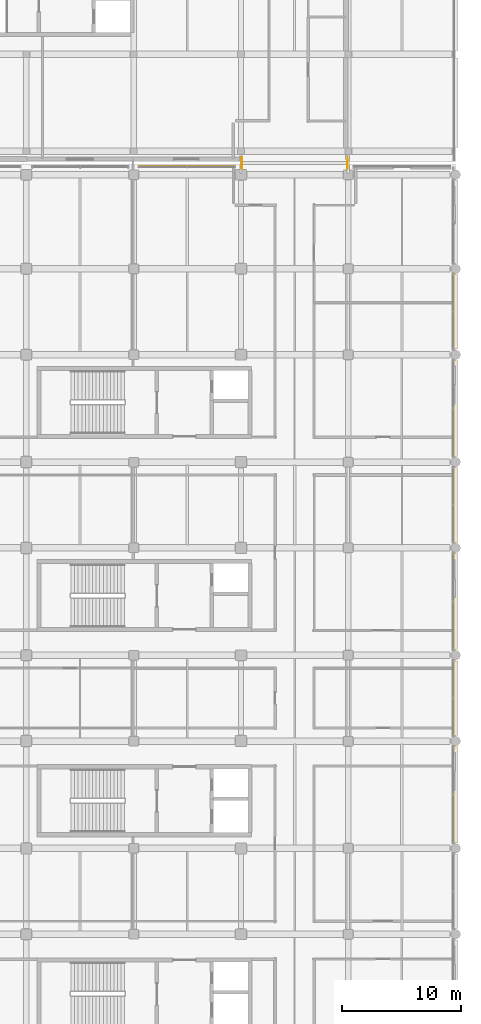
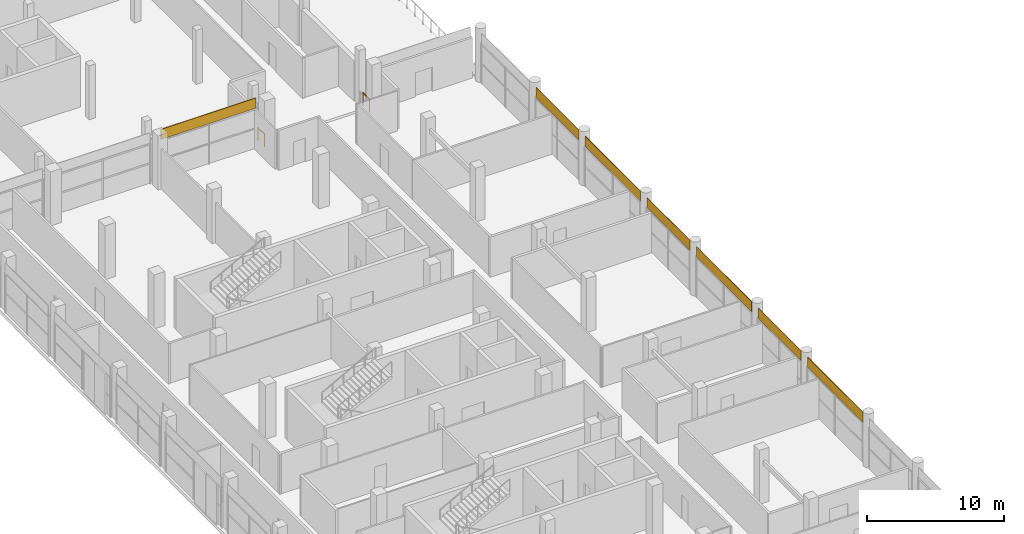
# One storey, part 106 of 111: 7 coverings, 2 railings.
"""IFC4 building model written with IfcOpenShell, lengths in metres."""

import ifcopenshell
import ifcopenshell.guid

model = None  # the IFC model being written
_history = None  # IfcOwnerHistory: only IFC2X3 demands one
_inside = {}  # id of a spatial element -> (the spatial element, [elements in it])
_under = {}  # id of a project, library or spatial element -> (it, [spatial elements below it])
_declared = {}  # id of a project -> (the project, [libraries it declares])
_typed = {}  # id of a type object -> (the type object, [elements of that type])
_made_of = {}  # id of a material, layer set ... -> (it, [elements and type objects made of it])


def new_model(schema):
    """Start an empty IFC model of exactly this schema.

    Asked for "IFC4X3", IfcOpenShell would pick the latest addendum, in which some entities
    have other attributes; the version numbers below select the first issue.
    IFC2X3 requires an IfcOwnerHistory on every rooted entity: one is made here for all.
    """
    global model, _history
    if schema == "IFC4X3":
        model = ifcopenshell.file(schema_version=(4, 3, 0, 0))
    else:
        model = ifcopenshell.file(schema=schema)
    _inside.clear()
    _under.clear()
    _declared.clear()
    _typed.clear()
    _made_of.clear()
    _history = None
    if model.schema == "IFC2X3":
        org = make("IfcOrganization", Name="unknown")
        user = make(
            "IfcPersonAndOrganization",
            ThePerson=make("IfcPerson", FamilyName="unknown"),
            TheOrganization=org,
        )
        app = make(
            "IfcApplication",
            ApplicationDeveloper=org,
            Version="unknown",
            ApplicationFullName="unknown",
            ApplicationIdentifier="unknown",
        )
        _history = make(
            "IfcOwnerHistory",
            OwningUser=user,
            OwningApplication=app,
            ChangeAction="ADDED",
            CreationDate=0,
        )
    return model


def make(cls, **values):
    """One entity of the class cls with the attributes given. An attribute that is None is left unset."""
    return model.create_entity(
        cls, **{name: value for name, value in values.items() if value is not None}
    )


def rooted(cls, **values):
    """An entity with a GlobalId (a new one), such as an element, a storey or a relation."""
    return make(cls, GlobalId=ifcopenshell.guid.new(), OwnerHistory=_history, **values)


def si_unit(unit_type, name, prefix=None):
    """IfcSIUnit, for example si_unit("LENGTHUNIT", "METRE", prefix="MILLI")."""
    return make("IfcSIUnit", UnitType=unit_type, Prefix=prefix, Name=name)


def assignment(units):
    """IfcUnitAssignment: the units of a project."""
    return None if units is None else make("IfcUnitAssignment", Units=units)


def point(xyz):
    """IfcCartesianPoint."""
    return None if xyz is None else make("IfcCartesianPoint", Coordinates=xyz)


def direction(xyz):
    """IfcDirection."""
    return None if xyz is None else make("IfcDirection", DirectionRatios=xyz)


def frame(location, z_axis=None, x_axis=None):
    """IfcAxis2Placement3D, a coordinate frame: its origin and axes. An axis left out is left unset."""
    return make(
        "IfcAxis2Placement3D",
        Location=point(location),
        Axis=direction(z_axis),
        RefDirection=direction(x_axis),
    )


def frame_2d(location, x_axis=None):
    """IfcAxis2Placement2D, a coordinate frame in the plane: its origin and x axis."""
    return make(
        "IfcAxis2Placement2D", Location=point(location), RefDirection=direction(x_axis)
    )


def origin():
    """The frame at (0, 0, 0) with its axes left unset."""
    return frame((0.0, 0.0, 0.0))


def origin_2d():
    """The frame at (0, 0) in the plane with its x axis left unset."""
    return frame_2d((0.0, 0.0))


def place(relative_to, where):
    """IfcLocalPlacement: puts the frame where relative to a parent placement (None: the world)."""
    return make(
        "IfcLocalPlacement", PlacementRelTo=relative_to, RelativePlacement=where
    )


def context(
    kind, dimensions, precision=None, world=None, true_north=None, identifier=None
):
    """IfcGeometricRepresentationContext, for example the 3D "Model" context."""
    return make(
        "IfcGeometricRepresentationContext",
        ContextIdentifier=identifier,
        ContextType=kind,
        CoordinateSpaceDimension=dimensions,
        Precision=precision,
        WorldCoordinateSystem=world,
        TrueNorth=true_north,
    )


def subcontext(parent, identifier, kind, view, scale=None):
    """IfcGeometricRepresentationSubContext, for example "Body" below "Model"."""
    return make(
        "IfcGeometricRepresentationSubContext",
        ContextIdentifier=identifier,
        ContextType=kind,
        ParentContext=parent,
        TargetScale=scale,
        TargetView=view,
    )


def project(units=None, contexts=None):
    """IfcProject with its units and contexts."""
    return rooted(
        "IfcProject",
        Name="project",
        RepresentationContexts=contexts,
        UnitsInContext=assignment(units),
    )


def spatial(cls, under=None, at=None, **own):
    """A site, building, storey or space (cls), placed at a placement, below another one or the project."""
    s = rooted(cls, ObjectPlacement=at, **own)
    if under is not None:
        _under.setdefault(under.id(), (under, []))[1].append(s)
    return s


def profile(cls, at=None, kind="AREA", **sizes):
    """A parametric profile (cls). Its sizes go by their IFC names, for example OverallWidth=200.0."""
    return make(cls, ProfileType=kind, Position=at, **sizes)


def rectangle(**sizes):
    """IfcRectangleProfileDef."""
    return profile("IfcRectangleProfileDef", **sizes)


def circle(**sizes):
    """IfcCircleProfileDef."""
    return profile("IfcCircleProfileDef", **sizes)


def extrude(swept, where, along, depth):
    """IfcExtrudedAreaSolid: the profile swept, set in the frame where, extruded along a direction by depth."""
    return make(
        "IfcExtrudedAreaSolid",
        SweptArea=swept,
        Position=where,
        ExtrudedDirection=direction(along),
        Depth=depth,
    )


def shape(context_of_items, identifier, shape_type, items):
    """IfcShapeRepresentation: the items that make up one representation, for example the "Body"."""
    return make(
        "IfcShapeRepresentation",
        ContextOfItems=context_of_items,
        RepresentationIdentifier=identifier,
        RepresentationType=shape_type,
        Items=items,
    )


def material(Name=None, Category=None):
    """IfcMaterial."""
    return make("IfcMaterial", Name=Name, Category=Category)


def layer(
    of_material, thickness, ventilated=None, Name=None, Category=None, Priority=None
):
    """IfcMaterialLayer: one layer of a wall or slab, of a material (None: an air gap)."""
    return make(
        "IfcMaterialLayer",
        Material=of_material,
        LayerThickness=thickness,
        IsVentilated=ventilated,
        Name=Name,
        Category=Category,
        Priority=Priority,
    )


def layer_set(layers, Name=None):
    """IfcMaterialLayerSet."""
    return make("IfcMaterialLayerSet", MaterialLayers=layers, LayerSetName=Name)


def made_of(thing, what):
    """Note that an element or type object is made of a material, layer set ...; save() writes the relation."""
    if what is not None:
        _made_of.setdefault(what.id(), (what, []))[1].append(thing)
    return thing


def type_object(cls, material=None, **own):
    """A type object (cls), such as IfcWallType, which elements share."""
    return made_of(rooted(cls, **own), material)


def element(
    cls,
    number,
    at=None,
    inside=None,
    cuts=None,
    type_object=None,
    material=None,
    context=None,
    identifier="Body",
    shape_type=None,
    held_by="IfcProductDefinitionShape",
    body=None,
    shapes=None,
    **own,
):
    """One element of the class cls, such as IfcWall. Its Tag is "e" and its number.

    at: its placement. inside: the storey or other place that contains it. cuts: it is an
    opening in that element (IfcRelVoidsElement). A single representation is given by context,
    identifier, shape_type and body (its items); several are given by shapes. held_by: the class
    of the entity that holds the representations. save() writes the other relations.
    """
    e = rooted(cls, Tag="e%d" % number, ObjectPlacement=at, **own)
    if body is not None:
        shapes = [shape(context, identifier, shape_type, body)]
    if shapes is not None:
        e.Representation = make(held_by, Representations=shapes)
    if inside is not None:
        _inside.setdefault(inside.id(), (inside, []))[1].append(e)
    if cuts is not None:
        rooted(
            "IfcRelVoidsElement", RelatingBuildingElement=cuts, RelatedOpeningElement=e
        )
    if type_object is not None:
        _typed.setdefault(type_object.id(), (type_object, []))[1].append(e)
    return made_of(e, material)


def aggregate(whole, parts):
    """IfcRelAggregates: a whole, such as a stair, and the parts it consists of."""
    return rooted("IfcRelAggregates", RelatingObject=whole, RelatedObjects=parts)


def save(model, path):
    """Write the relations noted so far, then the file.

    IfcRelAggregates (storeys below a building ...), IfcRelContainedInSpatialStructure (elements
    in a storey), IfcRelDefinesByType, IfcRelAssociatesMaterial and IfcRelDeclares: one each for
    every whole, place, type object, material and project.
    """
    for whole, parts in _under.values():
        aggregate(whole, parts)
    for where, things in _inside.values():
        rooted(
            "IfcRelContainedInSpatialStructure",
            RelatedElements=things,
            RelatingStructure=where,
        )
    for kind, things in _typed.values():
        rooted("IfcRelDefinesByType", RelatedObjects=things, RelatingType=kind)
    for what, things in _made_of.values():
        rooted("IfcRelAssociatesMaterial", RelatedObjects=things, RelatingMaterial=what)
    for by, libraries in _declared.values():
        rooted("IfcRelDeclares", RelatingContext=by, RelatedDefinitions=libraries)
    model.write(path)


model = new_model("IFC4")

# Units and contexts
model_context = context("Model", 3, precision=1e-05, world=origin(), true_north=direction((0.0, 1.0)))
body_context = subcontext(model_context, "Body", "Model", "MODEL_VIEW")
ifc_project = project(units=[si_unit("LENGTHUNIT", "METRE"), si_unit("AREAUNIT", "SQUARE_METRE"), si_unit("VOLUMEUNIT", "CUBIC_METRE"), si_unit("PLANEANGLEUNIT", "RADIAN"), si_unit("MASSUNIT", "GRAM", prefix="KILO"), si_unit("THERMODYNAMICTEMPERATUREUNIT", "KELVIN"), si_unit("POWERUNIT", "WATT")], contexts=[model_context])

# Site, building, storey
site_placement = place(None, origin())
site = spatial("IfcSite", under=ifc_project, at=site_placement, CompositionType="ELEMENT")
building_placement = place(site_placement, origin())
building = spatial("IfcBuilding", under=site, at=building_placement, Name="Sindhuravela Promenade Stadium", CompositionType="ELEMENT")
storey_placement = place(building_placement, frame((0.0, 0.0, 9.60009765625)))
storey = spatial("IfcBuildingStorey", under=building, at=storey_placement, Name="L02", CompositionType="ELEMENT", Elevation=9.60009765625)

# Coverings
ifc_material_1 = material(Name="Polychrome trencadis ceramic mosaic", Category="masonry")
ifc_layer_1 = layer(ifc_material_1, 0.034912109375)
ifc_layer_set_1 = layer_set([ifc_layer_1], Name="Polychrome trencadis ceramic mosaic")
covering_type_1 = type_object("IfcCoveringType", Name="CV-TRENC-1", PredefinedType="CLADDING", material=ifc_layer_set_1)
for number, where, z_axis, x_axis, name in (
    (1, (215.820068359375, 113.39990234375, 3.5546875), (0.0, 0.0, 1.0), (0.0, -1.0, 0.0), "Trencadis ceramic mosaic spandrel frieze EAST L02-186"),
    (2, (215.820068359375, 97.199951171875, 3.5546875), (0.0, 0.0, 1.0), (0.0, -1.0, 0.0), "Trencadis ceramic mosaic spandrel frieze EAST L02-188"),
    (3, (215.820068359375, 81.0, 3.5546875), (0.0, 0.0, 1.0), (0.0, -1.0, 0.0), "Trencadis ceramic mosaic spandrel frieze EAST L02-190"),
):
    element("IfcCovering", number, at=place(storey_placement, frame(where, z_axis=z_axis, x_axis=x_axis)), inside=storey, type_object=covering_type_1, Name=name, PredefinedType="CLADDING", context=body_context, shape_type="SweptSolid", body=[
        extrude(rectangle(XDim=6.27001953125, YDim=0.034912109375, at=origin_2d()), origin(), (0.0, 0.0, 1.0), 0.905029296875),
    ])
ifc_layer_2 = layer(ifc_material_1, 0.050048828125)
ifc_layer_set_2 = layer_set([ifc_layer_2], Name="Polychrome trencadis ceramic mosaic")
covering_type_2 = type_object("IfcCoveringType", Name="CV-TRENC-2", PredefinedType="CLADDING", material=ifc_layer_set_2)
covering_placement = place(storey_placement, frame((193.47509765625, 125.570068359375, 3.5546875), z_axis=(0.0, 0.0, 1.0), x_axis=(1.0, 0.0, 0.0)))
element("IfcCovering", 4, at=covering_placement, inside=storey, type_object=covering_type_2, Name="Trencadis ceramic mosaic spandrel frieze EAST L02-183", PredefinedType="CLADDING", context=body_context, shape_type="SweptSolid", body=[
    extrude(rectangle(XDim=8.02001953125, YDim=0.050048828125, at=origin_2d()), origin(), (0.0, 0.0, 1.0), 0.905029296875),
])
for number, where, z_axis, x_axis, name in (
    (5, (215.820068359375, 105.300048828125, 3.5546875), (0.0, 0.0, 1.0), (0.0, -1.0, 0.0), "Trencadis ceramic mosaic spandrel frieze EAST L02-187"),
    (6, (215.820068359375, 89.10009765625, 3.5546875), (0.0, 0.0, 1.0), (0.0, -1.0, 0.0), "Trencadis ceramic mosaic spandrel frieze EAST L02-189"),
    (7, (215.820068359375, 72.89990234375, 3.5546875), (0.0, 0.0, 1.0), (0.0, -1.0, 0.0), "Trencadis ceramic mosaic spandrel frieze EAST L02-191"),
):
    element("IfcCovering", number, at=place(storey_placement, frame(where, z_axis=z_axis, x_axis=x_axis)), inside=storey, type_object=covering_type_2, Name=name, PredefinedType="CLADDING", context=body_context, shape_type="SweptSolid", body=[
        extrude(rectangle(XDim=8.070068359375, YDim=0.050048828125, at=origin_2d()), origin(), (0.0, 0.0, 1.0), 0.905029296875),
    ])

# Railings
ifc_material_2 = material(Name="Architectural wrought steel E350", Category="steel")
railing_type = type_object("IfcRailingType", Name="RL-GRD-1150", PredefinedType="GUARDRAIL", material=ifc_material_2)
for number, where, name in (
    (8, (198.080078125, 125.39990234375, 0.0), "Bridge edge guardrail GR01-79"),
    (9, (206.919921875, 125.39990234375, 0.0), "Bridge edge guardrail GR01-80"),
):
    element("IfcRailing", number, at=place(storey_placement, frame(where)), inside=storey, type_object=railing_type, Name=name, PredefinedType="GUARDRAIL", context=body_context, shape_type="SweptSolid", body=[
        extrude(circle(Radius=0.02392578125, at=origin_2d()), frame((0.0, 0.0, 1.1259765625), z_axis=(0.0, 1.0, 0.0), x_axis=(-1.0, 0.0, 0.0)), (0.0, 0.0, 1.0), 0.9501953125),
        extrude(circle(Radius=0.02099609375, at=origin_2d()), origin(), (0.0, 0.0, 1.0), 1.101806640625),
        extrude(circle(Radius=0.02099609375, at=origin_2d()), frame((0.0, 0.9501953125, 0.0)), (0.0, 0.0, 1.0), 1.101806640625),
    ])

save(model, "model.ifc")
